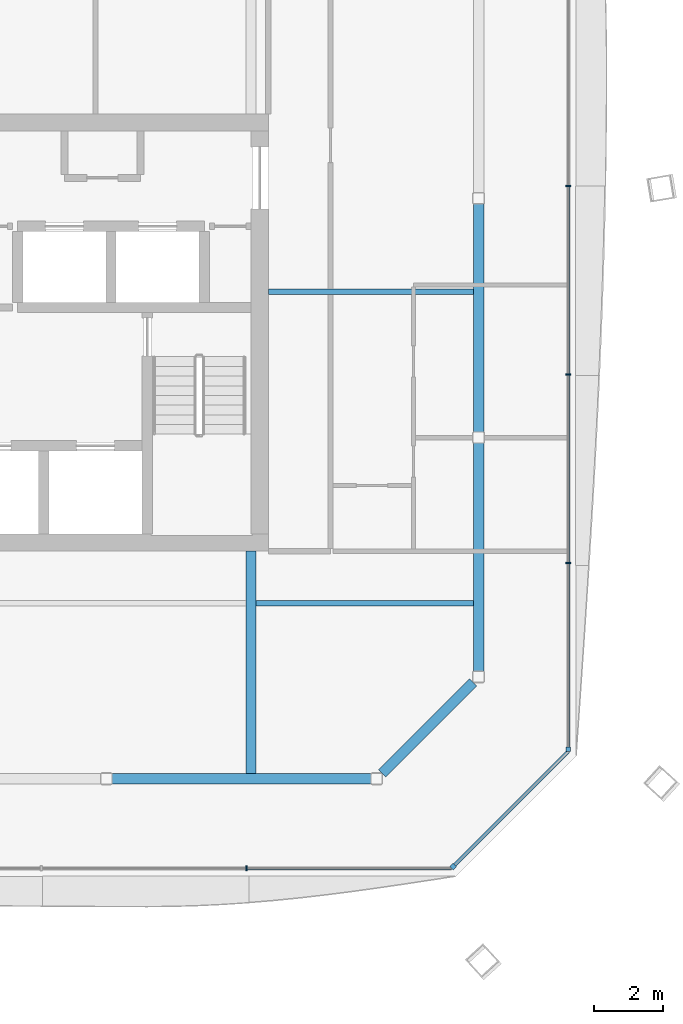
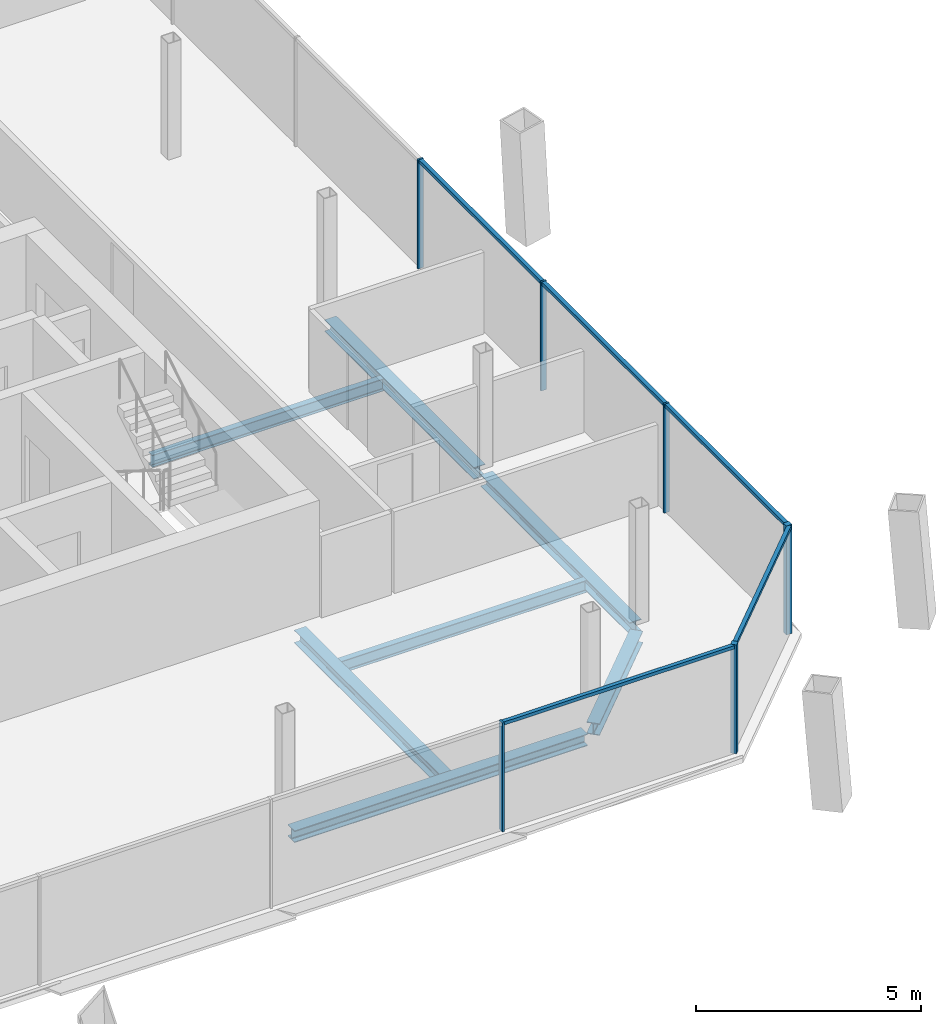
# One storey, part 8 of 20: 11 members, 7 beams, 3 elements without a shape of their own.
"""IFC4 building model written with IfcOpenShell, lengths in metres."""

from ifc_helpers import new_model, si_unit, direction, frame, origin, origin_2d, place, context, subcontext, project, spatial, rectangle, i_section, extrude, material, material_profile, profile_set, type_object, element, aggregate, save


model = new_model("IFC4")

# Units and contexts
model_context = context("Model", 3, precision=1e-05, world=origin(), true_north=direction((0.0, 1.0)))
body_context = subcontext(model_context, "Body", "Model", "MODEL_VIEW")
ifc_project = project(units=[si_unit("LENGTHUNIT", "METRE"), si_unit("AREAUNIT", "SQUARE_METRE"), si_unit("VOLUMEUNIT", "CUBIC_METRE"), si_unit("PLANEANGLEUNIT", "RADIAN"), si_unit("MASSUNIT", "GRAM", prefix="KILO")], contexts=[model_context])

# Site, building, storey
site_placement = place(None, origin())
site = spatial("IfcSite", under=ifc_project, at=site_placement, CompositionType="ELEMENT")
building_placement = place(site_placement, origin())
building = spatial("IfcBuilding", under=site, at=building_placement, Name="Tskaro Facet Tower", CompositionType="ELEMENT")
storey_placement = place(building_placement, frame((0.0, 0.0, 178.5)))
storey = spatial("IfcBuildingStorey", under=building, at=storey_placement, Name="L44", CompositionType="ELEMENT", Elevation=178.5)

# Curtain wall, member
ifc_material_1 = material(Name="Bronze anodised aluminium 6063-T6", Category="aluminium")
curtain_wall_type = type_object("IfcCurtainWallType", Name="Bronze residence curtain wall (FW3)", PredefinedType="NOTDEFINED", material=ifc_material_1)
curtain_wall_1_placement = place(storey_placement, origin())
curtain_wall_1 = element("IfcCurtainWall", 1, at=curtain_wall_1_placement, inside=storey, type_object=curtain_wall_type, Name="FW3 south-east facet L44", PredefinedType="NOTDEFINED")
ifc_material_profile_1 = material_profile(ifc_material_1, rectangle(XDim=0.139892578125, YDim=0.139892578125, at=origin_2d()), Name="Corner post 140x140")
ifc_profile_set_1 = profile_set([ifc_material_profile_1], Name="Bronze anodised aluminium 6063-T6")
member_type_1 = type_object("IfcMemberType", Name="FW3 bronze corner post 140x140", PredefinedType="MULLION", material=ifc_profile_set_1)
member_1_placement = place(storey_placement, frame((14.849609375, -21.12646484375, 0.0), z_axis=(0.0, 0.0, 1.0), x_axis=(0.707106781187, 0.707106781187, 0.0)))
member_1 = element("IfcMember", 2, at=member_1_placement, type_object=member_type_1, Name="FW3 south-east corner post", PredefinedType="MULLION", context=body_context, shape_type="SweptSolid", body=[
    extrude(rectangle(XDim=0.139892578125, YDim=0.139892578125, at=origin_2d()), origin(), (0.0, 0.0, 1.0), 2.949951171875),
])

curtain_wall_2_placement = place(storey_placement, origin())
curtain_wall_2 = element("IfcCurtainWall", 3, at=curtain_wall_2_placement, inside=storey, type_object=curtain_wall_type, Name="FW3 east facet L44", PredefinedType="NOTDEFINED")
member_2_placement = place(storey_placement, frame((18.176025390625, -17.72998046875, 0.0), z_axis=(0.0, 0.0, 1.0), x_axis=(0.0, 1.0, 0.0)))
member_2 = element("IfcMember", 4, at=member_2_placement, type_object=member_type_1, Name="FW3 east corner post", PredefinedType="MULLION", context=body_context, shape_type="SweptSolid", body=[
    extrude(rectangle(XDim=0.139892578125, YDim=0.139892578125, at=origin_2d()), origin(), (0.0, 0.0, 1.0), 2.949951171875),
])

curtain_wall_3_placement = place(storey_placement, origin())
curtain_wall_3 = element("IfcCurtainWall", 5, at=curtain_wall_3_placement, inside=storey, type_object=curtain_wall_type, Name="FW3 south facet L44", PredefinedType="NOTDEFINED")
ifc_material_profile_2 = material_profile(ifc_material_1, rectangle(XDim=0.050048828125, YDim=0.139892578125, at=origin_2d()), Name="Mullion 50x140")
ifc_profile_set_2 = profile_set([ifc_material_profile_2], Name="Bronze anodised aluminium 6063-T6")
member_type_2 = type_object("IfcMemberType", Name="FW3 bronze mullion 50x140", PredefinedType="MULLION", material=ifc_profile_set_2)
member_3_placement = place(storey_placement, frame((8.86669921875, -21.176025390625, 0.0), z_axis=(0.0, 0.0, 1.0), x_axis=(1.0, 0.0, 0.0)))
member_3 = element("IfcMember", 6, at=member_3_placement, type_object=member_type_2, Name="FW3 south mullion 5", PredefinedType="MULLION", context=body_context, shape_type="SweptSolid", body=[
    extrude(rectangle(XDim=0.050048828125, YDim=0.139892578125, at=origin_2d()), origin(), (0.0, 0.0, 1.0), 2.949951171875),
])

# Member
member_4_placement = place(storey_placement, frame((18.176025390625, -12.3447265625, 0.0), z_axis=(0.0, 0.0, 1.0), x_axis=(0.0, 1.0, 0.0)))
member_4 = element("IfcMember", 7, at=member_4_placement, type_object=member_type_2, Name="FW3 east mullion 1", PredefinedType="MULLION", context=body_context, shape_type="SweptSolid", body=[
    extrude(rectangle(XDim=0.050048828125, YDim=0.139892578125, at=origin_2d()), origin(), (0.0, 0.0, 1.0), 2.949951171875),
])

member_5_placement = place(storey_placement, frame((18.176025390625, -6.8896484375, 0.0), z_axis=(0.0, 0.0, 1.0), x_axis=(0.0, 1.0, 0.0)))
member_5 = element("IfcMember", 8, at=member_5_placement, type_object=member_type_2, Name="FW3 east mullion 2", PredefinedType="MULLION", context=body_context, shape_type="SweptSolid", body=[
    extrude(rectangle(XDim=0.050048828125, YDim=0.139892578125, at=origin_2d()), origin(), (0.0, 0.0, 1.0), 2.949951171875),
])

member_6_placement = place(storey_placement, frame((18.176025390625, -1.4345703125, 0.0), z_axis=(0.0, 0.0, 1.0), x_axis=(0.0, 1.0, 0.0)))
member_6 = element("IfcMember", 9, at=member_6_placement, type_object=member_type_2, Name="FW3 east mullion 3", PredefinedType="MULLION", context=body_context, shape_type="SweptSolid", body=[
    extrude(rectangle(XDim=0.050048828125, YDim=0.139892578125, at=origin_2d()), origin(), (0.0, 0.0, 1.0), 2.949951171875),
])

ifc_material_profile_3 = material_profile(ifc_material_1, rectangle(XDim=0.10009765625, YDim=0.090087890625, at=origin_2d()), Name="Transom 100x90")
ifc_profile_set_3 = profile_set([ifc_material_profile_3], Name="Bronze anodised aluminium 6063-T6")
member_type_3 = type_object("IfcMemberType", Name="FW3 bronze transom 100x90", PredefinedType="USERDEFINED", material=ifc_profile_set_3)
member_7_placement = place(storey_placement, frame((8.8916015625, -21.176025390625, 2.905029296875), z_axis=(1.0, 0.0, 0.0), x_axis=(0.0, 1.0, 0.0)))
member_7 = element("IfcMember", 10, at=member_7_placement, type_object=member_type_3, Name="FW3 south transom 6.1", ObjectType="TRANSOM", PredefinedType="USERDEFINED", context=body_context, shape_type="SweptSolid", body=[
    extrude(rectangle(XDim=0.10009765625, YDim=0.090087890625, at=origin_2d()), origin(), (0.0, 0.0, 1.0), 5.908447265625),
])

aggregate(curtain_wall_3, [member_3, member_7])

member_8_placement = place(storey_placement, frame((14.89892578125, -21.076904296875, 2.905029296875), z_axis=(0.707133121049, 0.707080440343, 0.0), x_axis=(-0.707080440343, 0.707133121049, 0.0)))
member_8 = element("IfcMember", 11, at=member_8_placement, type_object=member_type_3, Name="FW3 south-east transom 1.1", ObjectType="TRANSOM", PredefinedType="USERDEFINED", context=body_context, shape_type="SweptSolid", body=[
    extrude(rectangle(XDim=0.10009765625, YDim=0.090087890625, at=origin_2d()), origin(), (0.0, 0.0, 1.0), 4.63427734375),
])

aggregate(curtain_wall_1, [member_1, member_8])

member_9_placement = place(storey_placement, frame((18.176025390625, -17.659912109375, 2.905029296875), z_axis=(0.0, 1.0, 0.0), x_axis=(-1.0, 0.0, 0.0)))
member_9 = element("IfcMember", 12, at=member_9_placement, type_object=member_type_3, Name="FW3 east transom 1.1", ObjectType="TRANSOM", PredefinedType="USERDEFINED", context=body_context, shape_type="SweptSolid", body=[
    extrude(rectangle(XDim=0.10009765625, YDim=0.090087890625, at=origin_2d()), origin(), (0.0, 0.0, 1.0), 5.2900390625),
])

member_10_placement = place(storey_placement, frame((18.176025390625, -12.31982421875, 2.905029296875), z_axis=(0.0, 1.0, 0.0), x_axis=(-1.0, 0.0, 0.0)))
member_10 = element("IfcMember", 13, at=member_10_placement, type_object=member_type_3, Name="FW3 east transom 2.1", ObjectType="TRANSOM", PredefinedType="USERDEFINED", context=body_context, shape_type="SweptSolid", body=[
    extrude(rectangle(XDim=0.10009765625, YDim=0.090087890625, at=origin_2d()), origin(), (0.0, 0.0, 1.0), 5.4052734375),
])

member_11_placement = place(storey_placement, frame((18.176025390625, -6.86474609375, 2.905029296875), z_axis=(0.0, 1.0, 0.0), x_axis=(-1.0, 0.0, 0.0)))
member_11 = element("IfcMember", 14, at=member_11_placement, type_object=member_type_3, Name="FW3 east transom 3.1", ObjectType="TRANSOM", PredefinedType="USERDEFINED", context=body_context, shape_type="SweptSolid", body=[
    extrude(rectangle(XDim=0.10009765625, YDim=0.090087890625, at=origin_2d()), origin(), (0.0, 0.0, 1.0), 5.4052734375),
])

aggregate(curtain_wall_2, [member_2, member_4, member_5, member_6, member_9, member_10, member_11])

# Beams
ifc_material_2 = material(Name="Steel S355J2", Category="steel")
ifc_material_profile_4 = material_profile(ifc_material_2, i_section(OverallWidth=0.300048828125, OverallDepth=0.320068359375, WebThickness=0.011474609375, FlangeThickness=0.0205078125, FilletRadius=0.027099609375, at=origin_2d()), Name="HE 320 B")
ifc_profile_set_4 = profile_set([ifc_material_profile_4], Name="Steel S355J2")
beam_type_1 = type_object("IfcBeamType", Name="HE 320 B ring beam", PredefinedType="BEAM", material=ifc_profile_set_4)
beam_1_placement = place(storey_placement, frame((4.971923828125, -18.5830078125, -0.300048828125), z_axis=(1.0, 0.0, 0.0), x_axis=(0.0, 1.0, 0.0)))
element("IfcBeam", 15, at=beam_1_placement, inside=storey, type_object=beam_type_1, Name="HE 320 B EB4-4", PredefinedType="BEAM", context=body_context, shape_type="SweptSolid", body=[
    extrude(i_section(OverallWidth=0.300048828125, OverallDepth=0.320068359375, WebThickness=0.011474609375, FlangeThickness=0.0205078125, FilletRadius=0.027099609375, at=origin_2d()), origin(), (0.0, 0.0, 1.0), 7.506103515625),
])
beam_2_placement = place(storey_placement, frame((12.7939453125, -18.422119140625, -0.300048828125), z_axis=(0.707106781187, 0.707106781187, 0.0), x_axis=(-0.707106781187, 0.707106781187, 0.0)))
element("IfcBeam", 16, at=beam_2_placement, inside=storey, type_object=beam_type_1, Name="HE 320 B EB5-4", PredefinedType="BEAM", context=body_context, shape_type="SweptSolid", body=[
    extrude(i_section(OverallWidth=0.300048828125, OverallDepth=0.320068359375, WebThickness=0.011474609375, FlangeThickness=0.0205078125, FilletRadius=0.027099609375, at=origin_2d()), origin(), (0.0, 0.0, 1.0), 3.716796875),
])
for number, where, z_axis, x_axis, name in (
    (17, (15.5830078125, -15.47802734375, -0.300048828125), (0.0, 1.0, 0.0), (-1.0, 0.0, 0.0), "HE 320 B EB6-4"),
    (18, (15.5830078125, -8.55810546875, -0.300048828125), (0.0, 1.0, 0.0), (-1.0, 0.0, 0.0), "HE 320 B EB7-4"),
):
    element("IfcBeam", number, at=place(storey_placement, frame(where, z_axis=z_axis, x_axis=x_axis)), inside=storey, type_object=beam_type_1, Name=name, PredefinedType="BEAM", context=body_context, shape_type="SweptSolid", body=[
        extrude(i_section(OverallWidth=0.300048828125, OverallDepth=0.320068359375, WebThickness=0.011474609375, FlangeThickness=0.0205078125, FilletRadius=0.027099609375, at=origin_2d()), origin(), (0.0, 0.0, 1.0), 6.610107421875),
    ])
ifc_material_profile_5 = material_profile(ifc_material_2, i_section(OverallWidth=0.300048828125, OverallDepth=0.35009765625, WebThickness=0.010009765625, FlangeThickness=0.017578125, FilletRadius=0.027099609375, at=origin_2d()), Name="HE 360 A")
ifc_profile_set_5 = profile_set([ifc_material_profile_5], Name="Steel S355J2")
beam_type_2 = type_object("IfcBeamType", Name="HE 360 A girder", PredefinedType="BEAM", material=ifc_profile_set_5)
beam_3_placement = place(storey_placement, frame((9.0, -18.43310546875, -0.31494140625), z_axis=(0.0, 1.0, 0.0), x_axis=(-1.0, 0.0, 0.0)))
element("IfcBeam", 19, at=beam_3_placement, inside=storey, type_object=beam_type_2, Name="HE 360 A GB5-1-4", PredefinedType="BEAM", context=body_context, shape_type="SweptSolid", body=[
    extrude(i_section(OverallWidth=0.300048828125, OverallDepth=0.35009765625, WebThickness=0.010009765625, FlangeThickness=0.017578125, FilletRadius=0.027099609375, at=origin_2d()), origin(), (0.0, 0.0, 1.0), 6.43310546875),
])
ifc_material_profile_6 = material_profile(ifc_material_2, i_section(OverallWidth=0.159912109375, OverallDepth=0.330078125, WebThickness=0.007568359375, FlangeThickness=0.011474609375, FilletRadius=0.01806640625, at=origin_2d()), Name="IPE 330")
ifc_profile_set_6 = profile_set([ifc_material_profile_6], Name="Steel S355J2")
beam_type_3 = type_object("IfcBeamType", Name="IPE 330 secondary beam", PredefinedType="BEAM", material=ifc_profile_set_6)
beam_4_placement = place(storey_placement, frame((9.14990234375, -13.5, -0.304931640625), z_axis=(1.0, 0.0, 0.0), x_axis=(0.0, 1.0, 0.0)))
element("IfcBeam", 20, at=beam_4_placement, inside=storey, type_object=beam_type_3, Name="IPE 330 SB2a-5-4", PredefinedType="BEAM", context=body_context, shape_type="SweptSolid", body=[
    extrude(i_section(OverallWidth=0.159912109375, OverallDepth=0.330078125, WebThickness=0.007568359375, FlangeThickness=0.011474609375, FilletRadius=0.01806640625, at=origin_2d()), origin(), (0.0, 0.0, 1.0), 6.283203125),
])
beam_5_placement = place(storey_placement, frame((9.5, -4.5, -0.304931640625), z_axis=(1.0, 0.0, 0.0), x_axis=(0.0, 1.0, 0.0)))
element("IfcBeam", 21, at=beam_5_placement, inside=storey, type_object=beam_type_3, Name="IPE 330 SB3a-3-4", PredefinedType="BEAM", context=body_context, shape_type="SweptSolid", body=[
    extrude(i_section(OverallWidth=0.159912109375, OverallDepth=0.330078125, WebThickness=0.007568359375, FlangeThickness=0.011474609375, FilletRadius=0.01806640625, at=origin_2d()), origin(), (0.0, 0.0, 1.0), 5.93310546875),
])

save(model, "model.ifc")
